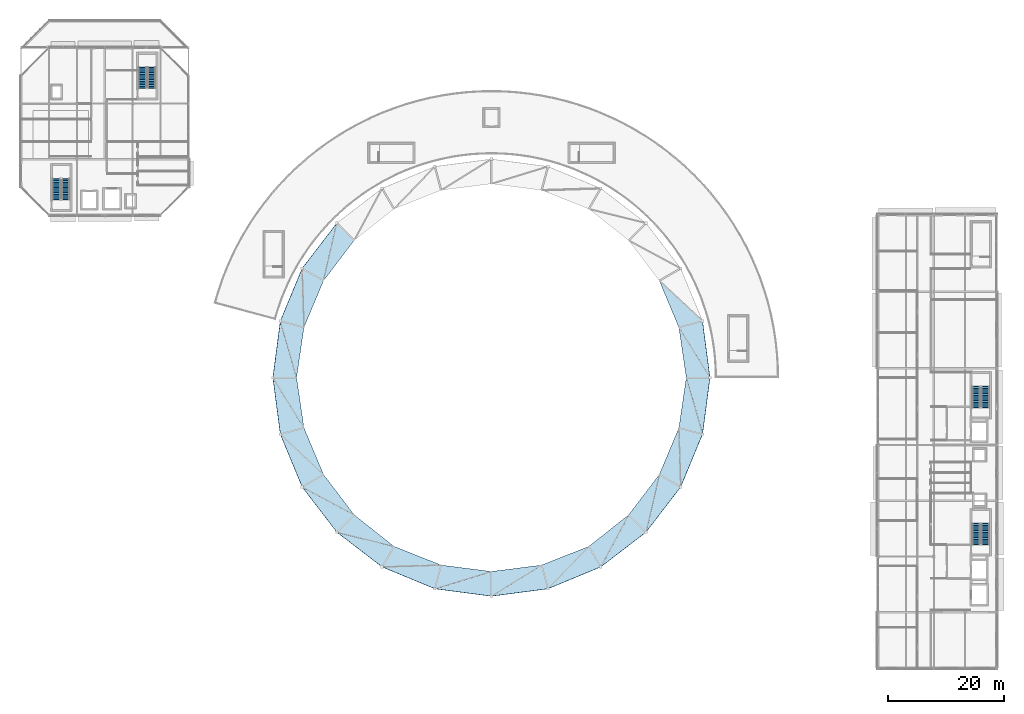
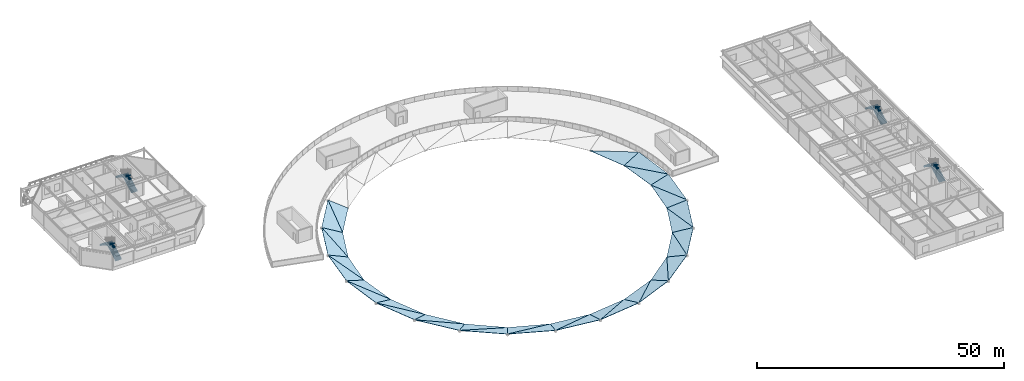
# One storey, part 39 of 50: 33 roofs, 8 stair flights, 4 elements without a shape of their own.
"""IFC4 building model written with IfcOpenShell, lengths in metres."""

from ifc_helpers import new_model, si_unit, direction, frame, origin, place, context, subcontext, project, spatial, polyline, outline, extrude, material, layer, layer_set, type_object, element, aggregate, save


model = new_model("IFC4")

# Units and contexts
model_context = context("Model", 3, precision=1e-05, world=origin(), true_north=direction((0.0, 1.0)))
body_context = subcontext(model_context, "Body", "Model", "MODEL_VIEW")
ifc_project = project(units=[si_unit("LENGTHUNIT", "METRE"), si_unit("AREAUNIT", "SQUARE_METRE"), si_unit("VOLUMEUNIT", "CUBIC_METRE"), si_unit("PLANEANGLEUNIT", "RADIAN"), si_unit("MASSUNIT", "GRAM", prefix="KILO")], contexts=[model_context])

# Site, building, storey
site_placement = place(None, origin())
site = spatial("IfcSite", under=ifc_project, at=site_placement, CompositionType="ELEMENT")
building_placement = place(site_placement, origin())
building = spatial("IfcBuilding", under=site, at=building_placement, Name="Almandine Court Research Institute", CompositionType="ELEMENT")
storey_placement = place(building_placement, frame((0.0, 0.0, 23.449951171875)))
storey = spatial("IfcBuildingStorey", under=building, at=storey_placement, Name="L05", CompositionType="ELEMENT", Elevation=23.449951171875)

# Stair, stair flights
ifc_material_1 = material(Name="Concrete C35/45", Category="concrete")
stair_type = type_object("IfcStairType", Name="Stair-Core-26R", PredefinedType="HALF_TURN_STAIR", material=ifc_material_1)
stair_1_placement = place(storey_placement, origin())
stair_1 = element("IfcStair", 1, at=stair_1_placement, inside=storey, type_object=stair_type, Name="L05 Cleanroom Pavilion South Exit Stair", PredefinedType="HALF_TURN_STAIR")
stair_flight_type = type_object("IfcStairFlightType", Name="Flight-Core-26R", PredefinedType="STRAIGHT", material=ifc_material_1)
stair_flight_1_placement = place(storey_placement, frame((13.68994140625, 86.64990234375, 0.0), z_axis=(0.0, 0.0, 1.0), x_axis=(0.0, 1.0, 0.0)))
stair_flight_1 = element("IfcStairFlight", 2, at=stair_flight_1_placement, type_object=stair_flight_type, Name="ST-05 flight 1", NumberOfRisers=13, NumberOfTreads=12, PredefinedType="STRAIGHT", RiserHeight=0.175, TreadLength=0.3, context=body_context, shape_type="SweptSolid", body=[
    extrude(outline(polyline([(-0.080078125, -0.139892578125), (-0.080078125, 0.0), (0.0, 0.0), (0.0, 0.175048828125), (0.300048828125, 0.175048828125), (0.300048828125, 0.35009765625), (0.60009765625, 0.35009765625), (0.60009765625, 0.52490234375), (0.89990234375, 0.52490234375), (0.89990234375, 0.699951171875), (1.199951171875, 0.699951171875), (1.199951171875, 0.875), (1.5, 0.875), (1.5, 1.050048828125), (1.800048828125, 1.050048828125), (1.800048828125, 1.22509765625), (2.10009765625, 1.22509765625), (2.10009765625, 1.39990234375), (2.39990234375, 1.39990234375), (2.39990234375, 1.574951171875), (2.699951171875, 1.574951171875), (2.699951171875, 1.75), (3.0, 1.75), (3.0, 1.925048828125), (3.300048828125, 1.925048828125), (3.300048828125, 2.10009765625), (3.60009765625, 2.10009765625), (3.60009765625, 2.27490234375), (3.679931640625, 2.27490234375), (3.679931640625, 2.114990234375), (3.60009765625, 1.914794921875), (0.3173828125, 0.0), (0.3173828125, -0.139892578125), (-0.080078125, -0.139892578125)])), frame((0.0, 0.7099609375, 0.0), z_axis=(0.0, -1.0, 0.0), x_axis=(1.0, 0.0, 0.0)), (0.0, 0.0, 1.0), 1.419921875),
])
stair_flight_2_placement = place(storey_placement, frame((12.110107421875, 90.25, 2.275146484375), z_axis=(0.0, 0.0, 1.0), x_axis=(0.0, -1.0, 0.0)))
stair_flight_2 = element("IfcStairFlight", 3, at=stair_flight_2_placement, type_object=stair_flight_type, Name="ST-05 flight 2", NumberOfRisers=13, NumberOfTreads=12, PredefinedType="STRAIGHT", RiserHeight=0.175, TreadLength=0.3, context=body_context, shape_type="SweptSolid", body=[
    extrude(outline(polyline([(-0.080078125, -0.139892578125), (-0.080078125, 0.0), (0.0, 0.0), (0.0, 0.175048828125), (0.300048828125, 0.175048828125), (0.300048828125, 0.35009765625), (0.60009765625, 0.35009765625), (0.60009765625, 0.52490234375), (0.89990234375, 0.52490234375), (0.89990234375, 0.699951171875), (1.199951171875, 0.699951171875), (1.199951171875, 0.875), (1.5, 0.875), (1.5, 1.050048828125), (1.800048828125, 1.050048828125), (1.800048828125, 1.22509765625), (2.10009765625, 1.22509765625), (2.10009765625, 1.39990234375), (2.39990234375, 1.39990234375), (2.39990234375, 1.574951171875), (2.699951171875, 1.574951171875), (2.699951171875, 1.75), (3.0, 1.75), (3.0, 1.925048828125), (3.300048828125, 1.925048828125), (3.300048828125, 2.10009765625), (3.60009765625, 2.10009765625), (3.60009765625, 2.27490234375), (3.679931640625, 2.27490234375), (3.679931640625, 2.114990234375), (3.60009765625, 1.914794921875), (0.3173828125, 0.0), (0.3173828125, -0.139892578125), (-0.080078125, -0.139892578125)])), frame((0.0, 0.7099609375, 0.0), z_axis=(0.0, -1.0, 0.0), x_axis=(1.0, 0.0, 0.0)), (0.0, 0.0, 1.0), 1.419921875),
])
aggregate(stair_1, [stair_flight_1, stair_flight_2])

stair_2_placement = place(storey_placement, origin())
stair_2 = element("IfcStair", 4, at=stair_2_placement, inside=storey, type_object=stair_type, Name="L05 Cleanroom Pavilion North Exit Stair", PredefinedType="HALF_TURN_STAIR")
stair_flight_3_placement = place(storey_placement, frame((28.489990234375, 105.85009765625, 0.0), z_axis=(0.0, 0.0, 1.0), x_axis=(0.0, 1.0, 0.0)))
stair_flight_3 = element("IfcStairFlight", 5, at=stair_flight_3_placement, type_object=stair_flight_type, Name="ST-06 flight 1", NumberOfRisers=13, NumberOfTreads=12, PredefinedType="STRAIGHT", RiserHeight=0.175, TreadLength=0.3, context=body_context, shape_type="SweptSolid", body=[
    extrude(outline(polyline([(-0.080078125, -0.139892578125), (-0.080078125, 0.0), (0.0, 0.0), (0.0, 0.175048828125), (0.300048828125, 0.175048828125), (0.300048828125, 0.35009765625), (0.60009765625, 0.35009765625), (0.60009765625, 0.52490234375), (0.89990234375, 0.52490234375), (0.89990234375, 0.699951171875), (1.199951171875, 0.699951171875), (1.199951171875, 0.875), (1.5, 0.875), (1.5, 1.050048828125), (1.800048828125, 1.050048828125), (1.800048828125, 1.22509765625), (2.10009765625, 1.22509765625), (2.10009765625, 1.39990234375), (2.39990234375, 1.39990234375), (2.39990234375, 1.574951171875), (2.699951171875, 1.574951171875), (2.699951171875, 1.75), (3.0, 1.75), (3.0, 1.925048828125), (3.300048828125, 1.925048828125), (3.300048828125, 2.10009765625), (3.60009765625, 2.10009765625), (3.60009765625, 2.27490234375), (3.679931640625, 2.27490234375), (3.679931640625, 2.114990234375), (3.60009765625, 1.914794921875), (0.3173828125, 0.0), (0.3173828125, -0.139892578125), (-0.080078125, -0.139892578125)])), frame((0.0, 0.7099609375, 0.0), z_axis=(0.0, -1.0, 0.0), x_axis=(1.0, 0.0, 0.0)), (0.0, 0.0, 1.0), 1.419921875),
])
stair_flight_4_placement = place(storey_placement, frame((26.909912109375, 109.449951171875, 2.275146484375), z_axis=(0.0, 0.0, 1.0), x_axis=(0.0, -1.0, 0.0)))
stair_flight_4 = element("IfcStairFlight", 6, at=stair_flight_4_placement, type_object=stair_flight_type, Name="ST-06 flight 2", NumberOfRisers=13, NumberOfTreads=12, PredefinedType="STRAIGHT", RiserHeight=0.175, TreadLength=0.3, context=body_context, shape_type="SweptSolid", body=[
    extrude(outline(polyline([(-0.080078125, -0.139892578125), (-0.080078125, 0.0), (0.0, 0.0), (0.0, 0.175048828125), (0.300048828125, 0.175048828125), (0.300048828125, 0.35009765625), (0.60009765625, 0.35009765625), (0.60009765625, 0.52490234375), (0.89990234375, 0.52490234375), (0.89990234375, 0.699951171875), (1.199951171875, 0.699951171875), (1.199951171875, 0.875), (1.5, 0.875), (1.5, 1.050048828125), (1.800048828125, 1.050048828125), (1.800048828125, 1.22509765625), (2.10009765625, 1.22509765625), (2.10009765625, 1.39990234375), (2.39990234375, 1.39990234375), (2.39990234375, 1.574951171875), (2.699951171875, 1.574951171875), (2.699951171875, 1.75), (3.0, 1.75), (3.0, 1.925048828125), (3.300048828125, 1.925048828125), (3.300048828125, 2.10009765625), (3.60009765625, 2.10009765625), (3.60009765625, 2.27490234375), (3.679931640625, 2.27490234375), (3.679931640625, 2.114990234375), (3.60009765625, 1.914794921875), (0.3173828125, 0.0), (0.3173828125, -0.139892578125), (-0.080078125, -0.139892578125)])), frame((0.0, 0.7099609375, 0.0), z_axis=(0.0, -1.0, 0.0), x_axis=(1.0, 0.0, 0.0)), (0.0, 0.0, 1.0), 1.419921875),
])
aggregate(stair_2, [stair_flight_3, stair_flight_4])

stair_3_placement = place(storey_placement, origin())
stair_3 = element("IfcStair", 7, at=stair_3_placement, inside=storey, type_object=stair_type, Name="L05 Wet Lab South High-Rise Core Stair", PredefinedType="HALF_TURN_STAIR")
stair_flight_5_placement = place(storey_placement, frame((172.090087890625, 27.25, 0.0), z_axis=(0.0, 0.0, 1.0), x_axis=(0.0, 1.0, 0.0)))
stair_flight_5 = element("IfcStairFlight", 8, at=stair_flight_5_placement, type_object=stair_flight_type, Name="ST-07 flight 1", NumberOfRisers=13, NumberOfTreads=12, PredefinedType="STRAIGHT", RiserHeight=0.175, TreadLength=0.3, context=body_context, shape_type="SweptSolid", body=[
    extrude(outline(polyline([(-0.080078125, -0.139892578125), (-0.080078125, 0.0), (0.0, 0.0), (0.0, 0.175048828125), (0.300048828125, 0.175048828125), (0.300048828125, 0.35009765625), (0.60009765625, 0.35009765625), (0.60009765625, 0.52490234375), (0.89990234375, 0.52490234375), (0.89990234375, 0.699951171875), (1.199951171875, 0.699951171875), (1.199951171875, 0.875), (1.5, 0.875), (1.5, 1.050048828125), (1.800048828125, 1.050048828125), (1.800048828125, 1.22509765625), (2.10009765625, 1.22509765625), (2.10009765625, 1.39990234375), (2.39990234375, 1.39990234375), (2.39990234375, 1.574951171875), (2.699951171875, 1.574951171875), (2.699951171875, 1.75), (3.0, 1.75), (3.0, 1.925048828125), (3.300048828125, 1.925048828125), (3.300048828125, 2.10009765625), (3.60009765625, 2.10009765625), (3.60009765625, 2.27490234375), (3.679931640625, 2.27490234375), (3.679931640625, 2.114990234375), (3.60009765625, 1.914794921875), (0.3173828125, 0.0), (0.3173828125, -0.139892578125), (-0.080078125, -0.139892578125)])), frame((0.0, 0.7099609375, 0.0), z_axis=(0.0, -1.0, 0.0), x_axis=(1.0, 0.0, 0.0)), (0.0, 0.0, 1.0), 1.419921875),
])
stair_flight_6_placement = place(storey_placement, frame((170.510009765625, 30.85009765625, 2.275146484375), z_axis=(0.0, 0.0, 1.0), x_axis=(0.0, -1.0, 0.0)))
stair_flight_6 = element("IfcStairFlight", 9, at=stair_flight_6_placement, type_object=stair_flight_type, Name="ST-07 flight 2", NumberOfRisers=13, NumberOfTreads=12, PredefinedType="STRAIGHT", RiserHeight=0.175, TreadLength=0.3, context=body_context, shape_type="SweptSolid", body=[
    extrude(outline(polyline([(-0.080078125, -0.139892578125), (-0.080078125, 0.0), (0.0, 0.0), (0.0, 0.175048828125), (0.300048828125, 0.175048828125), (0.300048828125, 0.35009765625), (0.60009765625, 0.35009765625), (0.60009765625, 0.52490234375), (0.89990234375, 0.52490234375), (0.89990234375, 0.699951171875), (1.199951171875, 0.699951171875), (1.199951171875, 0.875), (1.5, 0.875), (1.5, 1.050048828125), (1.800048828125, 1.050048828125), (1.800048828125, 1.22509765625), (2.10009765625, 1.22509765625), (2.10009765625, 1.39990234375), (2.39990234375, 1.39990234375), (2.39990234375, 1.574951171875), (2.699951171875, 1.574951171875), (2.699951171875, 1.75), (3.0, 1.75), (3.0, 1.925048828125), (3.300048828125, 1.925048828125), (3.300048828125, 2.10009765625), (3.60009765625, 2.10009765625), (3.60009765625, 2.27490234375), (3.679931640625, 2.27490234375), (3.679931640625, 2.114990234375), (3.60009765625, 1.914794921875), (0.3173828125, 0.0), (0.3173828125, -0.139892578125), (-0.080078125, -0.139892578125)])), frame((0.0, 0.7099609375, 0.0), z_axis=(0.0, -1.0, 0.0), x_axis=(1.0, 0.0, 0.0)), (0.0, 0.0, 1.0), 1.419921875),
])
aggregate(stair_3, [stair_flight_5, stair_flight_6])

stair_4_placement = place(storey_placement, origin())
stair_4 = element("IfcStair", 10, at=stair_4_placement, inside=storey, type_object=stair_type, Name="L05 Wet Lab Central High-Rise Core Stair", PredefinedType="HALF_TURN_STAIR")
stair_flight_7_placement = place(storey_placement, frame((172.090087890625, 50.85009765625, 0.0), z_axis=(0.0, 0.0, 1.0), x_axis=(0.0, 1.0, 0.0)))
stair_flight_7 = element("IfcStairFlight", 11, at=stair_flight_7_placement, type_object=stair_flight_type, Name="ST-08 flight 1", NumberOfRisers=13, NumberOfTreads=12, PredefinedType="STRAIGHT", RiserHeight=0.175, TreadLength=0.3, context=body_context, shape_type="SweptSolid", body=[
    extrude(outline(polyline([(-0.080078125, -0.139892578125), (-0.080078125, 0.0), (0.0, 0.0), (0.0, 0.175048828125), (0.300048828125, 0.175048828125), (0.300048828125, 0.35009765625), (0.60009765625, 0.35009765625), (0.60009765625, 0.52490234375), (0.89990234375, 0.52490234375), (0.89990234375, 0.699951171875), (1.199951171875, 0.699951171875), (1.199951171875, 0.875), (1.5, 0.875), (1.5, 1.050048828125), (1.800048828125, 1.050048828125), (1.800048828125, 1.22509765625), (2.10009765625, 1.22509765625), (2.10009765625, 1.39990234375), (2.39990234375, 1.39990234375), (2.39990234375, 1.574951171875), (2.699951171875, 1.574951171875), (2.699951171875, 1.75), (3.0, 1.75), (3.0, 1.925048828125), (3.300048828125, 1.925048828125), (3.300048828125, 2.10009765625), (3.60009765625, 2.10009765625), (3.60009765625, 2.27490234375), (3.679931640625, 2.27490234375), (3.679931640625, 2.114990234375), (3.60009765625, 1.914794921875), (0.3173828125, 0.0), (0.3173828125, -0.139892578125), (-0.080078125, -0.139892578125)])), frame((0.0, 0.7099609375, 0.0), z_axis=(0.0, -1.0, 0.0), x_axis=(1.0, 0.0, 0.0)), (0.0, 0.0, 1.0), 1.419921875),
])
stair_flight_8_placement = place(storey_placement, frame((170.510009765625, 54.449951171875, 2.275146484375), z_axis=(0.0, 0.0, 1.0), x_axis=(0.0, -1.0, 0.0)))
stair_flight_8 = element("IfcStairFlight", 12, at=stair_flight_8_placement, type_object=stair_flight_type, Name="ST-08 flight 2", NumberOfRisers=13, NumberOfTreads=12, PredefinedType="STRAIGHT", RiserHeight=0.175, TreadLength=0.3, context=body_context, shape_type="SweptSolid", body=[
    extrude(outline(polyline([(-0.080078125, -0.139892578125), (-0.080078125, 0.0), (0.0, 0.0), (0.0, 0.175048828125), (0.300048828125, 0.175048828125), (0.300048828125, 0.35009765625), (0.60009765625, 0.35009765625), (0.60009765625, 0.52490234375), (0.89990234375, 0.52490234375), (0.89990234375, 0.699951171875), (1.199951171875, 0.699951171875), (1.199951171875, 0.875), (1.5, 0.875), (1.5, 1.050048828125), (1.800048828125, 1.050048828125), (1.800048828125, 1.22509765625), (2.10009765625, 1.22509765625), (2.10009765625, 1.39990234375), (2.39990234375, 1.39990234375), (2.39990234375, 1.574951171875), (2.699951171875, 1.574951171875), (2.699951171875, 1.75), (3.0, 1.75), (3.0, 1.925048828125), (3.300048828125, 1.925048828125), (3.300048828125, 2.10009765625), (3.60009765625, 2.10009765625), (3.60009765625, 2.27490234375), (3.679931640625, 2.27490234375), (3.679931640625, 2.114990234375), (3.60009765625, 1.914794921875), (0.3173828125, 0.0), (0.3173828125, -0.139892578125), (-0.080078125, -0.139892578125)])), frame((0.0, 0.7099609375, 0.0), z_axis=(0.0, -1.0, 0.0), x_axis=(1.0, 0.0, 0.0)), (0.0, 0.0, 1.0), 1.419921875),
])
aggregate(stair_4, [stair_flight_7, stair_flight_8])

# Roofs
ifc_material_2 = material(Name="Insulated Laminated Low-E Glass Roof Panel", Category="glass")
ifc_layer = layer(ifc_material_2, 0.080078125)
ifc_layer_set = layer_set([ifc_layer], Name="Insulated Laminated Low-E Glass Roof Panel")
roof_type = type_object("IfcRoofType", Name="Roof-GS-Facet", PredefinedType="PAVILION_ROOF", material=ifc_layer_set)
roof_1_placement = place(storey_placement, frame((124.64990234375, 56.0, 0.860107421875), z_axis=(-0.284910321305, -0.037508862072, 0.957820021758), x_axis=(-0.130525188913, 0.991444993461, 0.0)))
element("IfcRoof", 13, at=roof_1_placement, inside=storey, type_object=roof_type, Name="Atrium Conical Gridshell Roof Facet R0-S00-1", PredefinedType="PAVILION_ROOF", context=body_context, shape_type="SweptSolid", body=[
    extrude(outline(polyline([(0.0, 0.0), (9.829206110042483, -2.220446049250313e-16), (9.277136944497292, 4.374449279783972), (0.0, 0.0)])), origin(), (0.0, 0.0, -1.0), 0.080078125),
])
roof_2_placement = place(storey_placement, frame((124.64990234375, 56.0, 0.860107421875), z_axis=(-0.293319805408, -0.043127961454, 0.955041083251), x_axis=(-0.523068833793, 0.843432129995, -0.122561157006)))
element("IfcRoof", 14, at=roof_2_placement, inside=storey, type_object=roof_type, Name="Atrium Conical Gridshell Roof Facet R0-S00-2", PredefinedType="PAVILION_ROOF", context=body_context, shape_type="SweptSolid", body=[
    extrude(outline(polyline([(0.0, 0.0), (10.25675759625619, -8.881784197001252e-16), (2.2949991201095203, 3.614695319989712), (0.0, 0.0)])), origin(), (0.0, 0.0, -1.0), 0.080078125),
])
roof_3_placement = place(storey_placement, frame((123.366943359375, 65.7451171875, 0.860107421875), z_axis=(-0.265139260733, -0.111212621054, 0.957774986798), x_axis=(-0.726092394478, 0.676608252579, -0.122438177147)))
element("IfcRoof", 15, at=roof_3_placement, inside=storey, type_object=roof_type, Name="Atrium Conical Gridshell Roof Facet R0-S01-2", PredefinedType="PAVILION_ROOF", context=body_context, shape_type="SweptSolid", body=[
    extrude(outline(polyline([(0.0, 0.0), (10.267059731054918, 3.3306690738754696e-16), (2.377475786559979, 3.7132459855589004), (0.0, 0.0)])), origin(), (0.0, 0.0, -1.0), 0.080078125),
])
roof_4_placement = place(storey_placement, frame((60.376953125, 82.623046875, 0.860107421875), z_axis=(0.226057474427, -0.173437414868, 0.95854967601), x_axis=(-0.608711534396, -0.793391623282, 0.0)))
element("IfcRoof", 16, at=roof_4_placement, inside=storey, type_object=roof_type, Name="Atrium Conical Gridshell Roof Facet R0-S09-1", PredefinedType="PAVILION_ROOF", context=body_context, shape_type="SweptSolid", body=[
    extrude(outline(polyline([(0.0, 0.0), (9.828810229771252, 8.881784197001252e-16), (9.272671825767745, 4.411961189551561), (0.0, 0.0)])), origin(), (0.0, 0.0, -1.0), 0.080078125),
])
roof_5_placement = place(storey_placement, frame((60.376953125, 82.623046875, 0.860107421875), z_axis=(0.228834060656, -0.173981486103, 0.957791947751), x_axis=(-0.222914745687, -0.967120949773, -0.122417664841)))
element("IfcRoof", 17, at=roof_5_placement, inside=storey, type_object=roof_type, Name="Atrium Conical Gridshell Roof Facet R0-S09-2", PredefinedType="PAVILION_ROOF", context=body_context, shape_type="SweptSolid", body=[
    extrude(outline(polyline([(0.0, 0.0), (10.26878007976099, -3.3306690738754696e-16), (2.3783313263879964, 3.713784577227334), (0.0, 0.0)])), origin(), (0.0, 0.0, -1.0), 0.080078125),
])
roof_6_placement = place(storey_placement, frame((54.39404296875, 74.824951171875, 0.860107421875), z_axis=(0.265487353761, -0.10996834408, 0.957822232094), x_axis=(-0.382683080424, -0.92387967829, 0.0)))
element("IfcRoof", 18, at=roof_6_placement, inside=storey, type_object=roof_type, Name="Atrium Conical Gridshell Roof Facet R0-S10-1", PredefinedType="PAVILION_ROOF", context=body_context, shape_type="SweptSolid", body=[
    extrude(outline(polyline([(0.0, 0.0), (9.827939933890235, 0.0), (9.276760152006183, 4.374561430931165), (0.0, 0.0)])), origin(), (0.0, 0.0, -1.0), 0.080078125),
])
roof_7_placement = place(storey_placement, frame((54.39404296875, 74.824951171875, 0.860107421875), z_axis=(0.262615668865, -0.110154100843, 0.958592241015), x_axis=(0.03130171395, -0.991966787417, -0.122564657894)))
element("IfcRoof", 19, at=roof_7_placement, inside=storey, type_object=roof_type, Name="Atrium Conical Gridshell Roof Facet R0-S10-2", PredefinedType="PAVILION_ROOF", context=body_context, shape_type="SweptSolid", body=[
    extrude(outline(polyline([(0.0, 0.0), (10.256464626314484, -1.1102230246251565e-16), (2.385618695612854, 3.752800940851941), (0.0, 0.0)])), origin(), (0.0, 0.0, -1.0), 0.080078125),
])
roof_8_placement = place(storey_placement, frame((50.633056640625, 65.7451171875, 0.860107421875), z_axis=(0.293373912495, -0.038623106277, 0.955217254413), x_axis=(-0.130525188913, -0.991444993461, 0.0)))
element("IfcRoof", 20, at=roof_8_placement, inside=storey, type_object=roof_type, Name="Atrium Conical Gridshell Roof Facet R0-S11-1", PredefinedType="PAVILION_ROOF", context=body_context, shape_type="SweptSolid", body=[
    extrude(outline(polyline([(0.0, 0.0), (9.829206110042483, 2.220446049250313e-16), (9.294964217434782, 4.248250088900363), (0.0, 0.0)])), origin(), (0.0, 0.0, -1.0), 0.080078125),
])
roof_9_placement = place(storey_placement, frame((50.633056640625, 65.7451171875, 0.860107421875), z_axis=(0.283823864745, -0.041731736054, 0.957967888818), x_axis=(0.27496261615, -0.953554108274, -0.123004562168)))
element("IfcRoof", 21, at=roof_9_placement, inside=storey, type_object=roof_type, Name="Atrium Conical Gridshell Roof Facet R0-S11-2", PredefinedType="PAVILION_ROOF", context=body_context, shape_type="SweptSolid", body=[
    extrude(outline(polyline([(0.0, 0.0), (10.219784176842232, -4.996003610813204e-16), (2.3204479848413566, 3.749147638409824), (0.0, 0.0)])), origin(), (0.0, 0.0, -1.0), 0.080078125),
])
roof_10_placement = place(storey_placement, frame((49.35009765625, 56.0, 0.860107421875), z_axis=(0.284910321305, 0.037508862072, 0.957820021758), x_axis=(0.130525188913, -0.991444993461, 0.0)))
element("IfcRoof", 22, at=roof_10_placement, inside=storey, type_object=roof_type, Name="Atrium Conical Gridshell Roof Facet R0-S12-1", PredefinedType="PAVILION_ROOF", context=body_context, shape_type="SweptSolid", body=[
    extrude(outline(polyline([(0.0, 0.0), (9.829206110042483, -2.220446049250313e-16), (9.277136944497292, 4.374449279783972), (0.0, 0.0)])), origin(), (0.0, 0.0, -1.0), 0.080078125),
])
roof_11_placement = place(storey_placement, frame((49.35009765625, 56.0, 0.860107421875), z_axis=(0.293319805408, 0.043127961454, 0.955041083251), x_axis=(0.523068833793, -0.843432129995, -0.122561157006)))
element("IfcRoof", 23, at=roof_11_placement, inside=storey, type_object=roof_type, Name="Atrium Conical Gridshell Roof Facet R0-S12-2", PredefinedType="PAVILION_ROOF", context=body_context, shape_type="SweptSolid", body=[
    extrude(outline(polyline([(0.0, 0.0), (10.25675759625619, -8.881784197001252e-16), (2.2949991201095203, 3.614695319989712), (0.0, 0.0)])), origin(), (0.0, 0.0, -1.0), 0.080078125),
])
roof_12_placement = place(storey_placement, frame((50.633056640625, 46.2548828125, 0.860107421875), z_axis=(0.263244192912, 0.109039197435, 0.958547311467), x_axis=(0.382683080424, -0.92387967829, 0.0)))
element("IfcRoof", 24, at=roof_12_placement, inside=storey, type_object=roof_type, Name="Atrium Conical Gridshell Roof Facet R0-S13-1", PredefinedType="PAVILION_ROOF", context=body_context, shape_type="SweptSolid", body=[
    extrude(outline(polyline([(0.0, 0.0), (9.827939933890235, 0.0), (9.270825250686883, 4.411838017456672), (0.0, 0.0)])), origin(), (0.0, 0.0, -1.0), 0.080078125),
])
roof_13_placement = place(storey_placement, frame((50.633056640625, 46.2548828125, 0.860107421875), z_axis=(0.265139260733, 0.111212621054, 0.957774986798), x_axis=(0.726092394478, -0.676608252579, -0.122438177147)))
element("IfcRoof", 25, at=roof_13_placement, inside=storey, type_object=roof_type, Name="Atrium Conical Gridshell Roof Facet R0-S13-2", PredefinedType="PAVILION_ROOF", context=body_context, shape_type="SweptSolid", body=[
    extrude(outline(polyline([(0.0, 0.0), (10.267059731054918, 3.3306690738754696e-16), (2.377475786559979, 3.7132459855589004), (0.0, 0.0)])), origin(), (0.0, 0.0, -1.0), 0.080078125),
])
roof_14_placement = place(storey_placement, frame((54.39404296875, 37.175048828125, 0.860107421875), z_axis=(0.227947535149, 0.174887520627, 0.957838335184), x_axis=(0.608711534396, -0.793391623282, 0.0)))
element("IfcRoof", 26, at=roof_14_placement, inside=storey, type_object=roof_type, Name="Atrium Conical Gridshell Roof Facet R0-S14-1", PredefinedType="PAVILION_ROOF", context=body_context, shape_type="SweptSolid", body=[
    extrude(outline(polyline([(0.0, 0.0), (9.828810229771252, -8.881784197001252e-16), (9.276798919168753, 4.375378760415721), (0.0, 0.0)])), origin(), (0.0, 0.0, -1.0), 0.080078125),
])
roof_15_placement = place(storey_placement, frame((54.39404296875, 37.175048828125, 0.860107421875), z_axis=(0.226696675813, 0.172356442215, 0.958593695996), x_axis=(0.874725212578, -0.468865472186, -0.122560072915)))
element("IfcRoof", 27, at=roof_15_placement, inside=storey, type_object=roof_type, Name="Atrium Conical Gridshell Roof Facet R0-S14-2", PredefinedType="PAVILION_ROOF", context=body_context, shape_type="SweptSolid", body=[
    extrude(outline(polyline([(0.0, 0.0), (10.25684832118461, -2.7755575615628914e-16), (2.3850528933724435, 3.75316055589586), (0.0, 0.0)])), origin(), (0.0, 0.0, -1.0), 0.080078125),
])
roof_16_placement = place(storey_placement, frame((60.376953125, 29.376953125, 0.860107421875), z_axis=(0.180126224865, 0.234775636514, 0.955214606052), x_axis=(0.793391623282, -0.608711534396, 0.0)))
element("IfcRoof", 28, at=roof_16_placement, inside=storey, type_object=roof_type, Name="Atrium Conical Gridshell Roof Facet R0-S15-1", PredefinedType="PAVILION_ROOF", context=body_context, shape_type="SweptSolid", body=[
    extrude(outline(polyline([(0.0, 0.0), (9.828810229771252, 8.881784197001252e-16), (9.294174078323886, 4.248127355059259), (0.0, 0.0)])), origin(), (0.0, 0.0, -1.0), 0.080078125),
])
roof_17_placement = place(storey_placement, frame((60.376953125, 29.376953125, 0.860107421875), z_axis=(0.178027166355, 0.224870519452, 0.957987253319), x_axis=(0.963301707654, -0.238573717235, -0.123013826361)))
element("IfcRoof", 29, at=roof_17_placement, inside=storey, type_object=roof_type, Name="Atrium Conical Gridshell Roof Facet R0-S15-2", PredefinedType="PAVILION_ROOF", context=body_context, shape_type="SweptSolid", body=[
    extrude(outline(polyline([(0.0, 0.0), (10.219014523083448, -1.6653345369377348e-16), (2.320860102204918, 3.7499685558846325), (0.0, 0.0)])), origin(), (0.0, 0.0, -1.0), 0.080078125),
])
roof_18_placement = place(storey_placement, frame((68.175048828125, 23.39404296875, 0.860107421875), z_axis=(0.10996834408, 0.265487353761, 0.957822232094), x_axis=(0.92387967829, -0.382683080424, 0.0)))
element("IfcRoof", 30, at=roof_18_placement, inside=storey, type_object=roof_type, Name="Atrium Conical Gridshell Roof Facet R0-S16-1", PredefinedType="PAVILION_ROOF", context=body_context, shape_type="SweptSolid", body=[
    extrude(outline(polyline([(0.0, 0.0), (9.827939933890235, 0.0), (9.276760152006183, 4.374561430931165), (0.0, 0.0)])), origin(), (0.0, 0.0, -1.0), 0.080078125),
])
roof_19_placement = place(storey_placement, frame((68.175048828125, 23.39404296875, 0.860107421875), z_axis=(0.10930605043, 0.27558700015, 0.955041356533), x_axis=(0.991966787417, 0.03130171395, -0.122564657894)))
element("IfcRoof", 31, at=roof_19_placement, inside=storey, type_object=roof_type, Name="Atrium Conical Gridshell Roof Facet R0-S16-2", PredefinedType="PAVILION_ROOF", context=body_context, shape_type="SweptSolid", body=[
    extrude(outline(polyline([(0.0, 0.0), (10.256464626314484, -5.551115123125783e-17), (2.294499020657354, 3.6149268434422925), (0.0, 0.0)])), origin(), (0.0, 0.0, -1.0), 0.080078125),
])
roof_20_placement = place(storey_placement, frame((77.2548828125, 19.633056640625, 0.860107421875), z_axis=(0.037195425228, 0.282529513491, 0.958537205511), x_axis=(0.991444993461, -0.130525188913, 0.0)))
element("IfcRoof", 32, at=roof_20_placement, inside=storey, type_object=roof_type, Name="Atrium Conical Gridshell Roof Facet R0-S17-1", PredefinedType="PAVILION_ROOF", context=body_context, shape_type="SweptSolid", body=[
    extrude(outline(polyline([(0.0, 0.0), (9.829206110042483, 2.220446049250313e-16), (9.272530200590413, 4.411311704878741), (0.0, 0.0)])), origin(), (0.0, 0.0, -1.0), 0.080078125),
])
roof_21_placement = place(storey_placement, frame((77.2548828125, 19.633056640625, 0.860107421875), z_axis=(0.036271261234, 0.28522766768, 0.957773236835), x_axis=(0.949041979591, 0.290399808065, -0.122422516107)))
element("IfcRoof", 33, at=roof_21_placement, inside=storey, type_object=roof_type, Name="Atrium Conical Gridshell Roof Facet R0-S17-2", PredefinedType="PAVILION_ROOF", context=body_context, shape_type="SweptSolid", body=[
    extrude(outline(polyline([(0.0, 0.0), (10.268373156370071, 1.1102230246251565e-16), (2.377794062208791, 3.7130421843379176), (0.0, 0.0)])), origin(), (0.0, 0.0, -1.0), 0.080078125),
])
roof_22_placement = place(storey_placement, frame((87.0, 18.35009765625, 0.860107421875), z_axis=(-0.037508862072, 0.284910321305, 0.957820021758), x_axis=(0.991444993461, 0.130525188913, 0.0)))
element("IfcRoof", 34, at=roof_22_placement, inside=storey, type_object=roof_type, Name="Atrium Conical Gridshell Roof Facet R0-S18-1", PredefinedType="PAVILION_ROOF", context=body_context, shape_type="SweptSolid", body=[
    extrude(outline(polyline([(0.0, 0.0), (9.829206110042483, -2.220446049250313e-16), (9.277136944497292, 4.374449279783972), (0.0, 0.0)])), origin(), (0.0, 0.0, -1.0), 0.080078125),
])
roof_23_placement = place(storey_placement, frame((87.0, 18.35009765625, 0.860107421875), z_axis=(-0.03592981257, 0.282542605103, 0.958581621392), x_axis=(0.843432129995, 0.523068833793, -0.122561157006)))
element("IfcRoof", 35, at=roof_23_placement, inside=storey, type_object=roof_type, Name="Atrium Conical Gridshell Roof Facet R0-S18-2", PredefinedType="PAVILION_ROOF", context=body_context, shape_type="SweptSolid", body=[
    extrude(outline(polyline([(0.0, 0.0), (10.25675759625619, -1.0547118733938987e-15), (2.384901575917756, 3.7525729172062023), (0.0, 0.0)])), origin(), (0.0, 0.0, -1.0), 0.080078125),
])
roof_24_placement = place(storey_placement, frame((96.7451171875, 19.633056640625, 0.860107421875), z_axis=(-0.113237724239, 0.273380344185, 0.955217464885), x_axis=(0.92387967829, 0.382683080424, 0.0)))
element("IfcRoof", 36, at=roof_24_placement, inside=storey, type_object=roof_type, Name="Atrium Conical Gridshell Roof Facet R0-S19-1", PredefinedType="PAVILION_ROOF", context=body_context, shape_type="SweptSolid", body=[
    extrude(outline(polyline([(0.0, 0.0), (9.827939933890235, 0.0), (9.294357566627005, 4.248259843345624), (0.0, 0.0)])), origin(), (0.0, 0.0, -1.0), 0.080078125),
])
roof_25_placement = place(storey_placement, frame((96.7451171875, 19.633056640625, 0.860107421875), z_axis=(-0.105765159336, 0.266659556969, 0.95796994303), x_axis=(0.688303432388, 0.714917226553, -0.123011154537)))
element("IfcRoof", 37, at=roof_25_placement, inside=storey, type_object=roof_type, Name="Atrium Conical Gridshell Roof Facet R0-S19-2", PredefinedType="PAVILION_ROOF", context=body_context, shape_type="SweptSolid", body=[
    extrude(outline(polyline([(0.0, 0.0), (10.21923648189529, -4.996003610813204e-16), (2.319781366873107, 3.7495601441844637), (0.0, 0.0)])), origin(), (0.0, 0.0, -1.0), 0.080078125),
])
roof_26_placement = place(storey_placement, frame((105.824951171875, 23.39404296875, 0.860107421875), z_axis=(-0.174887520627, 0.227947535149, 0.957838335184), x_axis=(0.793391623282, 0.608711534396, 0.0)))
element("IfcRoof", 38, at=roof_26_placement, inside=storey, type_object=roof_type, Name="Atrium Conical Gridshell Roof Facet R0-S20-1", PredefinedType="PAVILION_ROOF", context=body_context, shape_type="SweptSolid", body=[
    extrude(outline(polyline([(0.0, 0.0), (9.828810229771252, -8.881784197001252e-16), (9.276798919168753, 4.375378760415721), (0.0, 0.0)])), origin(), (0.0, 0.0, -1.0), 0.080078125),
])
roof_27_placement = place(storey_placement, frame((105.824951171875, 23.39404296875, 0.860107421875), z_axis=(-0.184033644054, 0.232457450077, 0.955036727964), x_axis=(0.468865472186, 0.874725212578, -0.122560072915)))
element("IfcRoof", 39, at=roof_27_placement, inside=storey, type_object=roof_type, Name="Atrium Conical Gridshell Roof Facet R0-S20-2", PredefinedType="PAVILION_ROOF", context=body_context, shape_type="SweptSolid", body=[
    extrude(outline(polyline([(0.0, 0.0), (10.25684832118461, -1.1102230246251565e-16), (2.2956492297733093, 3.6141965155589455), (0.0, 0.0)])), origin(), (0.0, 0.0, -1.0), 0.080078125),
])
roof_28_placement = place(storey_placement, frame((113.623046875, 29.376953125, 0.860107421875), z_axis=(-0.226057474427, 0.173437414868, 0.95854967601), x_axis=(0.608711534396, 0.793391623282, 0.0)))
element("IfcRoof", 40, at=roof_28_placement, inside=storey, type_object=roof_type, Name="Atrium Conical Gridshell Roof Facet R0-S21-1", PredefinedType="PAVILION_ROOF", context=body_context, shape_type="SweptSolid", body=[
    extrude(outline(polyline([(0.0, 0.0), (9.828810229771252, 8.881784197001252e-16), (9.272671825767745, 4.411961189551561), (0.0, 0.0)])), origin(), (0.0, 0.0, -1.0), 0.080078125),
])
roof_29_placement = place(storey_placement, frame((113.623046875, 29.376953125, 0.860107421875), z_axis=(-0.228834060656, 0.173981486103, 0.957791947751), x_axis=(0.222914745687, 0.967120949773, -0.122417664841)))
element("IfcRoof", 41, at=roof_29_placement, inside=storey, type_object=roof_type, Name="Atrium Conical Gridshell Roof Facet R0-S21-2", PredefinedType="PAVILION_ROOF", context=body_context, shape_type="SweptSolid", body=[
    extrude(outline(polyline([(0.0, 0.0), (10.26878007976099, -3.3306690738754696e-16), (2.3783313263879964, 3.713784577227334), (0.0, 0.0)])), origin(), (0.0, 0.0, -1.0), 0.080078125),
])
roof_30_placement = place(storey_placement, frame((119.60595703125, 37.175048828125, 0.860107421875), z_axis=(-0.265487353761, 0.10996834408, 0.957822232094), x_axis=(0.382683080424, 0.92387967829, 0.0)))
element("IfcRoof", 42, at=roof_30_placement, inside=storey, type_object=roof_type, Name="Atrium Conical Gridshell Roof Facet R0-S22-1", PredefinedType="PAVILION_ROOF", context=body_context, shape_type="SweptSolid", body=[
    extrude(outline(polyline([(0.0, 0.0), (9.827939933890235, 0.0), (9.276760152006183, 4.374561430931165), (0.0, 0.0)])), origin(), (0.0, 0.0, -1.0), 0.080078125),
])
roof_31_placement = place(storey_placement, frame((119.60595703125, 37.175048828125, 0.860107421875), z_axis=(-0.262615668865, 0.110154100843, 0.958592241015), x_axis=(-0.03130171395, 0.991966787417, -0.122564657894)))
element("IfcRoof", 43, at=roof_31_placement, inside=storey, type_object=roof_type, Name="Atrium Conical Gridshell Roof Facet R0-S22-2", PredefinedType="PAVILION_ROOF", context=body_context, shape_type="SweptSolid", body=[
    extrude(outline(polyline([(0.0, 0.0), (10.256464626314484, -1.1102230246251565e-16), (2.385618695612854, 3.752800940851941), (0.0, 0.0)])), origin(), (0.0, 0.0, -1.0), 0.080078125),
])
roof_32_placement = place(storey_placement, frame((123.366943359375, 46.2548828125, 0.860107421875), z_axis=(-0.293373912495, 0.038623106277, 0.955217254413), x_axis=(0.130525188913, 0.991444993461, 0.0)))
element("IfcRoof", 44, at=roof_32_placement, inside=storey, type_object=roof_type, Name="Atrium Conical Gridshell Roof Facet R0-S23-1", PredefinedType="PAVILION_ROOF", context=body_context, shape_type="SweptSolid", body=[
    extrude(outline(polyline([(0.0, 0.0), (9.829206110042483, 2.220446049250313e-16), (9.294964217434782, 4.248250088900363), (0.0, 0.0)])), origin(), (0.0, 0.0, -1.0), 0.080078125),
])
roof_33_placement = place(storey_placement, frame((123.366943359375, 46.2548828125, 0.860107421875), z_axis=(-0.283823864745, 0.041731736054, 0.957967888818), x_axis=(-0.27496261615, 0.953554108274, -0.123004562168)))
element("IfcRoof", 45, at=roof_33_placement, inside=storey, type_object=roof_type, Name="Atrium Conical Gridshell Roof Facet R0-S23-2", PredefinedType="PAVILION_ROOF", context=body_context, shape_type="SweptSolid", body=[
    extrude(outline(polyline([(0.0, 0.0), (10.219784176842232, -4.996003610813204e-16), (2.3204479848413566, 3.749147638409824), (0.0, 0.0)])), origin(), (0.0, 0.0, -1.0), 0.080078125),
])

save(model, "model.ifc")
